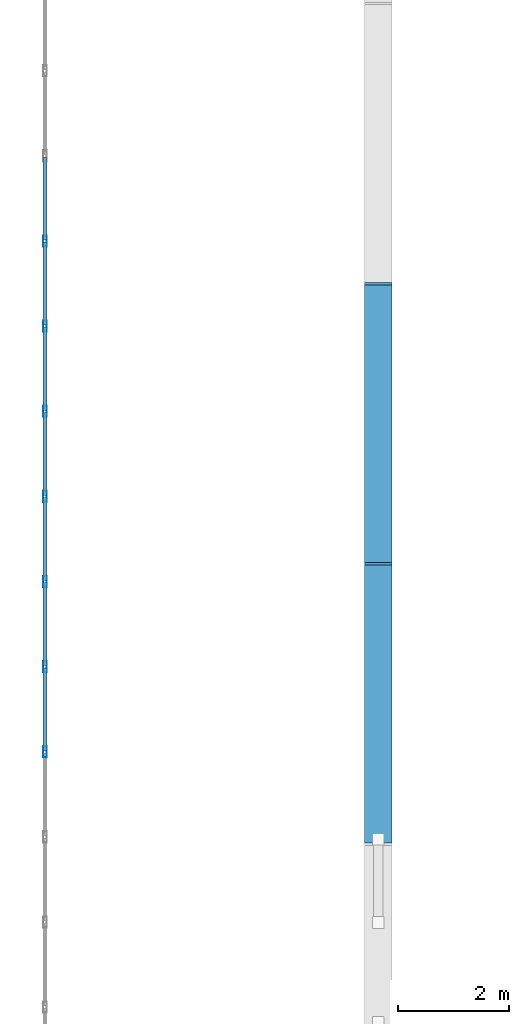
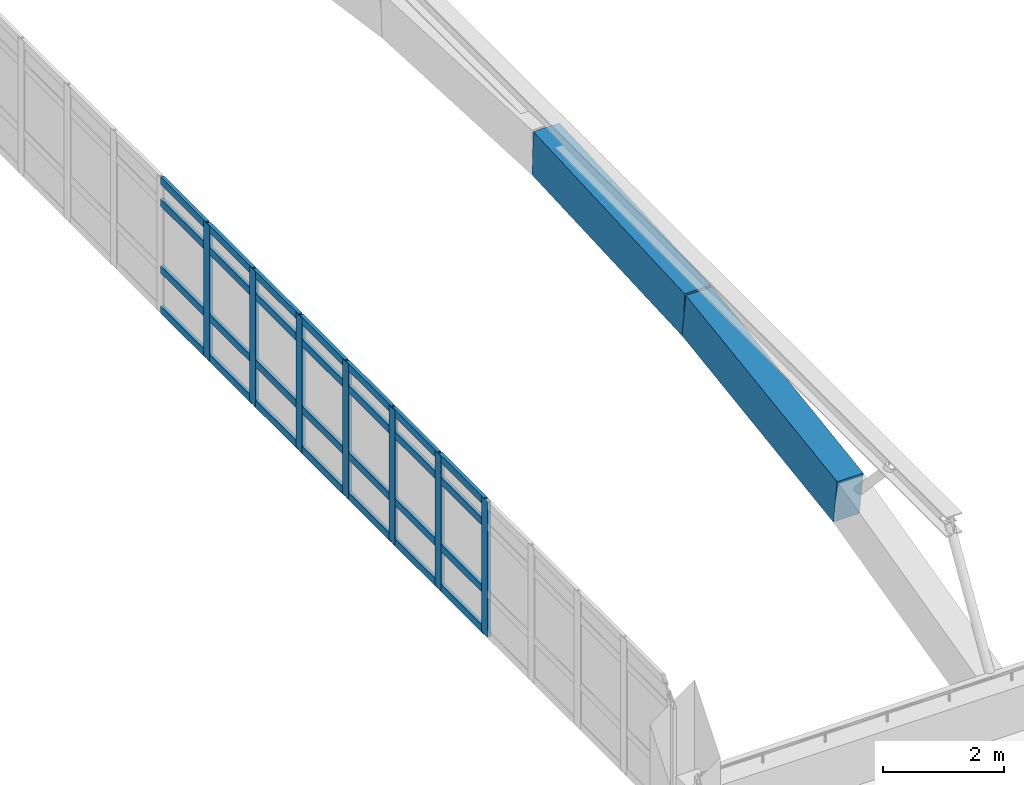
# One storey, part 15 of 161: 35 members, 2 beams, 1 element without a shape of its own.
"""IFC4 building model written with IfcOpenShell, lengths in metres."""

from ifc_helpers import new_model, si_unit, direction, frame, origin, origin_2d, place, context, subcontext, project, spatial, rectangle, hollow_rectangle, extrude, material, layer, layer_set, material_profile, profile_set, type_object, element, aggregate, save


model = new_model("IFC4")

# Units and contexts
model_context = context("Model", 3, precision=1e-05, world=origin(), true_north=direction((0.0, 1.0)))
body_context = subcontext(model_context, "Body", "Model", "MODEL_VIEW")
ifc_project = project(units=[si_unit("LENGTHUNIT", "METRE"), si_unit("AREAUNIT", "SQUARE_METRE"), si_unit("VOLUMEUNIT", "CUBIC_METRE"), si_unit("PLANEANGLEUNIT", "RADIAN"), si_unit("MASSUNIT", "GRAM", prefix="KILO")], contexts=[model_context])

# Site, building, storey
site_placement = place(None, origin())
site = spatial("IfcSite", under=ifc_project, at=site_placement, CompositionType="ELEMENT")
building_placement = place(site_placement, origin())
building = spatial("IfcBuilding", under=site, at=building_placement, Name="Mersad Railyard Sports Hall", CompositionType="ELEMENT")
storey_placement = place(building_placement, frame((0.0, 0.0, 4.800048828125)))
storey = spatial("IfcBuildingStorey", under=building, at=storey_placement, Name="L01", CompositionType="ELEMENT", Elevation=4.800048828125)

# Curtain wall, members
ifc_material_1 = material(Name="Aluminium 6063-T6", Category="aluminium")
ifc_layer = layer(ifc_material_1, 0.199951171875)
ifc_layer_set = layer_set([ifc_layer], Name="Aluminium 6063-T6")
curtain_wall_type = type_object("IfcCurtainWallType", Name="ARC-CW-CW04", PredefinedType="USERDEFINED", material=ifc_layer_set)
curtain_wall_placement = place(storey_placement, origin())
curtain_wall = element("IfcCurtainWall", 1, at=curtain_wall_placement, inside=storey, type_object=curtain_wall_type, Name="Curtain wall CW04-0024", ObjectType="CURTAIN WALL", PredefinedType="USERDEFINED")
ifc_material_profile_1 = material_profile(ifc_material_1, hollow_rectangle(XDim=0.06494140625, YDim=0.199951171875, WallThickness=0.0048828125, at=origin_2d()), Name="AL MULLION 65x200x5")
ifc_profile_set_1 = profile_set([ifc_material_profile_1], Name="Aluminium 6063-T6")
member_type_1 = type_object("IfcMemberType", Name="ARC-CW-MUL02", PredefinedType="MULLION", material=ifc_profile_set_1)
member_1_placement = place(storey_placement, frame((7.0, 20.073486328125, -0.02001953125), z_axis=(0.0, 0.0, 1.0), x_axis=(1.0, 0.0, 0.0)))
member_1 = element("IfcMember", 2, at=member_1_placement, type_object=member_type_1, Name="CW04 Mullion 5", PredefinedType="MULLION", context=body_context, shape_type="SweptSolid", body=[
    extrude(hollow_rectangle(XDim=0.06494140625, YDim=0.199951171875, WallThickness=0.0048828125, at=origin_2d()), origin(), (0.0, 0.0, 1.0), 2.719970703125),
])
member_2_placement = place(storey_placement, frame((7.0, 21.60546875, -0.02001953125), z_axis=(0.0, 0.0, 1.0), x_axis=(1.0, 0.0, 0.0)))
member_2 = element("IfcMember", 3, at=member_2_placement, type_object=member_type_1, Name="CW04 Mullion 6", PredefinedType="MULLION", context=body_context, shape_type="SweptSolid", body=[
    extrude(hollow_rectangle(XDim=0.06494140625, YDim=0.199951171875, WallThickness=0.0048828125, at=origin_2d()), origin(), (0.0, 0.0, 1.0), 2.719970703125),
])
member_3_placement = place(storey_placement, frame((7.0, 23.1376953125, -0.02001953125), z_axis=(0.0, 0.0, 1.0), x_axis=(1.0, 0.0, 0.0)))
member_3 = element("IfcMember", 4, at=member_3_placement, type_object=member_type_1, Name="CW04 Mullion 7", PredefinedType="MULLION", context=body_context, shape_type="SweptSolid", body=[
    extrude(hollow_rectangle(XDim=0.06494140625, YDim=0.199951171875, WallThickness=0.0048828125, at=origin_2d()), origin(), (0.0, 0.0, 1.0), 2.719970703125),
])
member_4_placement = place(storey_placement, frame((7.0, 24.669677734375, -0.02001953125), z_axis=(0.0, 0.0, 1.0), x_axis=(1.0, 0.0, 0.0)))
member_4 = element("IfcMember", 5, at=member_4_placement, type_object=member_type_1, Name="CW04 Mullion 8", PredefinedType="MULLION", context=body_context, shape_type="SweptSolid", body=[
    extrude(hollow_rectangle(XDim=0.06494140625, YDim=0.199951171875, WallThickness=0.0048828125, at=origin_2d()), origin(), (0.0, 0.0, 1.0), 2.719970703125),
])
member_5_placement = place(storey_placement, frame((7.0, 26.201904296875, -0.02001953125), z_axis=(0.0, 0.0, 1.0), x_axis=(1.0, 0.0, 0.0)))
member_5 = element("IfcMember", 6, at=member_5_placement, type_object=member_type_1, Name="CW04 Mullion 9", PredefinedType="MULLION", context=body_context, shape_type="SweptSolid", body=[
    extrude(hollow_rectangle(XDim=0.06494140625, YDim=0.199951171875, WallThickness=0.0048828125, at=origin_2d()), origin(), (0.0, 0.0, 1.0), 2.719970703125),
])
member_6_placement = place(storey_placement, frame((7.0, 27.73388671875, -0.02001953125), z_axis=(0.0, 0.0, 1.0), x_axis=(1.0, 0.0, 0.0)))
member_6 = element("IfcMember", 7, at=member_6_placement, type_object=member_type_1, Name="CW04 Mullion 10", PredefinedType="MULLION", context=body_context, shape_type="SweptSolid", body=[
    extrude(hollow_rectangle(XDim=0.06494140625, YDim=0.199951171875, WallThickness=0.0048828125, at=origin_2d()), origin(), (0.0, 0.0, 1.0), 2.719970703125),
])
member_7_placement = place(storey_placement, frame((7.0, 29.26611328125, -0.02001953125), z_axis=(0.0, 0.0, 1.0), x_axis=(1.0, 0.0, 0.0)))
member_7 = element("IfcMember", 8, at=member_7_placement, type_object=member_type_1, Name="CW04 Mullion 11", PredefinedType="MULLION", context=body_context, shape_type="SweptSolid", body=[
    extrude(hollow_rectangle(XDim=0.06494140625, YDim=0.199951171875, WallThickness=0.0048828125, at=origin_2d()), origin(), (0.0, 0.0, 1.0), 2.719970703125),
])
ifc_material_profile_2 = material_profile(ifc_material_1, hollow_rectangle(XDim=0.06494140625, YDim=0.14990234375, WallThickness=0.00439453125, at=origin_2d()), Name="AL TRANSOM 65x150x4.5")
ifc_profile_set_2 = profile_set([ifc_material_profile_2], Name="Aluminium 6063-T6")
member_type_2 = type_object("IfcMemberType", Name="ARC-CW-TRN02", PredefinedType="USERDEFINED", material=ifc_profile_set_2)
member_8_placement = place(storey_placement, frame((7.0, 20.093505859375, 0.0400390625), z_axis=(0.0, 1.0, 0.0), x_axis=(-1.0, 0.0, 0.0)))
member_8 = element("IfcMember", 9, at=member_8_placement, type_object=member_type_2, Name="CW04 Transom 1-5", ObjectType="TRANSOM", PredefinedType="USERDEFINED", context=body_context, shape_type="SweptSolid", body=[
    extrude(hollow_rectangle(XDim=0.06494140625, YDim=0.14990234375, WallThickness=0.00439453125, at=origin_2d()), origin(), (0.0, 0.0, 1.0), 1.491943359375),
])
member_9_placement = place(storey_placement, frame((7.0, 21.62548828125, 0.0400390625), z_axis=(0.0, 1.0, 0.0), x_axis=(-1.0, 0.0, 0.0)))
member_9 = element("IfcMember", 10, at=member_9_placement, type_object=member_type_2, Name="CW04 Transom 1-6", ObjectType="TRANSOM", PredefinedType="USERDEFINED", context=body_context, shape_type="SweptSolid", body=[
    extrude(hollow_rectangle(XDim=0.06494140625, YDim=0.14990234375, WallThickness=0.00439453125, at=origin_2d()), origin(), (0.0, 0.0, 1.0), 1.4921875),
])
member_10_placement = place(storey_placement, frame((7.0, 23.15771484375, 0.0400390625), z_axis=(0.0, 1.0, 0.0), x_axis=(-1.0, 0.0, 0.0)))
member_10 = element("IfcMember", 11, at=member_10_placement, type_object=member_type_2, Name="CW04 Transom 1-7", ObjectType="TRANSOM", PredefinedType="USERDEFINED", context=body_context, shape_type="SweptSolid", body=[
    extrude(hollow_rectangle(XDim=0.06494140625, YDim=0.14990234375, WallThickness=0.00439453125, at=origin_2d()), origin(), (0.0, 0.0, 1.0), 1.491943359375),
])
member_11_placement = place(storey_placement, frame((7.0, 24.689697265625, 0.0400390625), z_axis=(0.0, 1.0, 0.0), x_axis=(-1.0, 0.0, 0.0)))
member_11 = element("IfcMember", 12, at=member_11_placement, type_object=member_type_2, Name="CW04 Transom 1-8", ObjectType="TRANSOM", PredefinedType="USERDEFINED", context=body_context, shape_type="SweptSolid", body=[
    extrude(hollow_rectangle(XDim=0.06494140625, YDim=0.14990234375, WallThickness=0.00439453125, at=origin_2d()), origin(), (0.0, 0.0, 1.0), 1.4921875),
])
member_12_placement = place(storey_placement, frame((7.0, 26.221923828125, 0.0400390625), z_axis=(0.0, 1.0, 0.0), x_axis=(-1.0, 0.0, 0.0)))
member_12 = element("IfcMember", 13, at=member_12_placement, type_object=member_type_2, Name="CW04 Transom 1-9", ObjectType="TRANSOM", PredefinedType="USERDEFINED", context=body_context, shape_type="SweptSolid", body=[
    extrude(hollow_rectangle(XDim=0.06494140625, YDim=0.14990234375, WallThickness=0.00439453125, at=origin_2d()), origin(), (0.0, 0.0, 1.0), 1.491943359375),
])
member_13_placement = place(storey_placement, frame((7.0, 27.75390625, 0.0400390625), z_axis=(0.0, 1.0, 0.0), x_axis=(-1.0, 0.0, 0.0)))
member_13 = element("IfcMember", 14, at=member_13_placement, type_object=member_type_2, Name="CW04 Transom 1-10", ObjectType="TRANSOM", PredefinedType="USERDEFINED", context=body_context, shape_type="SweptSolid", body=[
    extrude(hollow_rectangle(XDim=0.06494140625, YDim=0.14990234375, WallThickness=0.00439453125, at=origin_2d()), origin(), (0.0, 0.0, 1.0), 1.4921875),
])
member_14_placement = place(storey_placement, frame((7.0, 29.2861328125, 0.0400390625), z_axis=(0.0, 1.0, 0.0), x_axis=(-1.0, 0.0, 0.0)))
member_14 = element("IfcMember", 15, at=member_14_placement, type_object=member_type_2, Name="CW04 Transom 1-11", ObjectType="TRANSOM", PredefinedType="USERDEFINED", context=body_context, shape_type="SweptSolid", body=[
    extrude(hollow_rectangle(XDim=0.06494140625, YDim=0.14990234375, WallThickness=0.00439453125, at=origin_2d()), origin(), (0.0, 0.0, 1.0), 1.491943359375),
])
member_15_placement = place(storey_placement, frame((7.0, 20.093505859375, 0.849853515625), z_axis=(0.0, 1.0, 0.0), x_axis=(-1.0, 0.0, 0.0)))
member_15 = element("IfcMember", 16, at=member_15_placement, type_object=member_type_2, Name="CW04 Transom 2-5", ObjectType="TRANSOM", PredefinedType="USERDEFINED", context=body_context, shape_type="SweptSolid", body=[
    extrude(hollow_rectangle(XDim=0.06494140625, YDim=0.14990234375, WallThickness=0.00439453125, at=origin_2d()), origin(), (0.0, 0.0, 1.0), 1.491943359375),
])
member_16_placement = place(storey_placement, frame((7.0, 21.62548828125, 0.849853515625), z_axis=(0.0, 1.0, 0.0), x_axis=(-1.0, 0.0, 0.0)))
member_16 = element("IfcMember", 17, at=member_16_placement, type_object=member_type_2, Name="CW04 Transom 2-6", ObjectType="TRANSOM", PredefinedType="USERDEFINED", context=body_context, shape_type="SweptSolid", body=[
    extrude(hollow_rectangle(XDim=0.06494140625, YDim=0.14990234375, WallThickness=0.00439453125, at=origin_2d()), origin(), (0.0, 0.0, 1.0), 1.4921875),
])
member_17_placement = place(storey_placement, frame((7.0, 23.15771484375, 0.849853515625), z_axis=(0.0, 1.0, 0.0), x_axis=(-1.0, 0.0, 0.0)))
member_17 = element("IfcMember", 18, at=member_17_placement, type_object=member_type_2, Name="CW04 Transom 2-7", ObjectType="TRANSOM", PredefinedType="USERDEFINED", context=body_context, shape_type="SweptSolid", body=[
    extrude(hollow_rectangle(XDim=0.06494140625, YDim=0.14990234375, WallThickness=0.00439453125, at=origin_2d()), origin(), (0.0, 0.0, 1.0), 1.491943359375),
])
member_18_placement = place(storey_placement, frame((7.0, 24.689697265625, 0.849853515625), z_axis=(0.0, 1.0, 0.0), x_axis=(-1.0, 0.0, 0.0)))
member_18 = element("IfcMember", 19, at=member_18_placement, type_object=member_type_2, Name="CW04 Transom 2-8", ObjectType="TRANSOM", PredefinedType="USERDEFINED", context=body_context, shape_type="SweptSolid", body=[
    extrude(hollow_rectangle(XDim=0.06494140625, YDim=0.14990234375, WallThickness=0.00439453125, at=origin_2d()), origin(), (0.0, 0.0, 1.0), 1.4921875),
])
member_19_placement = place(storey_placement, frame((7.0, 26.221923828125, 0.849853515625), z_axis=(0.0, 1.0, 0.0), x_axis=(-1.0, 0.0, 0.0)))
member_19 = element("IfcMember", 20, at=member_19_placement, type_object=member_type_2, Name="CW04 Transom 2-9", ObjectType="TRANSOM", PredefinedType="USERDEFINED", context=body_context, shape_type="SweptSolid", body=[
    extrude(hollow_rectangle(XDim=0.06494140625, YDim=0.14990234375, WallThickness=0.00439453125, at=origin_2d()), origin(), (0.0, 0.0, 1.0), 1.491943359375),
])
member_20_placement = place(storey_placement, frame((7.0, 27.75390625, 0.849853515625), z_axis=(0.0, 1.0, 0.0), x_axis=(-1.0, 0.0, 0.0)))
member_20 = element("IfcMember", 21, at=member_20_placement, type_object=member_type_2, Name="CW04 Transom 2-10", ObjectType="TRANSOM", PredefinedType="USERDEFINED", context=body_context, shape_type="SweptSolid", body=[
    extrude(hollow_rectangle(XDim=0.06494140625, YDim=0.14990234375, WallThickness=0.00439453125, at=origin_2d()), origin(), (0.0, 0.0, 1.0), 1.4921875),
])
member_21_placement = place(storey_placement, frame((7.0, 29.2861328125, 0.849853515625), z_axis=(0.0, 1.0, 0.0), x_axis=(-1.0, 0.0, 0.0)))
member_21 = element("IfcMember", 22, at=member_21_placement, type_object=member_type_2, Name="CW04 Transom 2-11", ObjectType="TRANSOM", PredefinedType="USERDEFINED", context=body_context, shape_type="SweptSolid", body=[
    extrude(hollow_rectangle(XDim=0.06494140625, YDim=0.14990234375, WallThickness=0.00439453125, at=origin_2d()), origin(), (0.0, 0.0, 1.0), 1.491943359375),
])
member_22_placement = place(storey_placement, frame((7.0, 20.093505859375, 2.199951171875), z_axis=(0.0, 1.0, 0.0), x_axis=(-1.0, 0.0, 0.0)))
member_22 = element("IfcMember", 23, at=member_22_placement, type_object=member_type_2, Name="CW04 Transom 3-5", ObjectType="TRANSOM", PredefinedType="USERDEFINED", context=body_context, shape_type="SweptSolid", body=[
    extrude(hollow_rectangle(XDim=0.06494140625, YDim=0.14990234375, WallThickness=0.00439453125, at=origin_2d()), origin(), (0.0, 0.0, 1.0), 1.491943359375),
])
member_23_placement = place(storey_placement, frame((7.0, 21.62548828125, 2.199951171875), z_axis=(0.0, 1.0, 0.0), x_axis=(-1.0, 0.0, 0.0)))
member_23 = element("IfcMember", 24, at=member_23_placement, type_object=member_type_2, Name="CW04 Transom 3-6", ObjectType="TRANSOM", PredefinedType="USERDEFINED", context=body_context, shape_type="SweptSolid", body=[
    extrude(hollow_rectangle(XDim=0.06494140625, YDim=0.14990234375, WallThickness=0.00439453125, at=origin_2d()), origin(), (0.0, 0.0, 1.0), 1.4921875),
])
member_24_placement = place(storey_placement, frame((7.0, 23.15771484375, 2.199951171875), z_axis=(0.0, 1.0, 0.0), x_axis=(-1.0, 0.0, 0.0)))
member_24 = element("IfcMember", 25, at=member_24_placement, type_object=member_type_2, Name="CW04 Transom 3-7", ObjectType="TRANSOM", PredefinedType="USERDEFINED", context=body_context, shape_type="SweptSolid", body=[
    extrude(hollow_rectangle(XDim=0.06494140625, YDim=0.14990234375, WallThickness=0.00439453125, at=origin_2d()), origin(), (0.0, 0.0, 1.0), 1.491943359375),
])
member_25_placement = place(storey_placement, frame((7.0, 24.689697265625, 2.199951171875), z_axis=(0.0, 1.0, 0.0), x_axis=(-1.0, 0.0, 0.0)))
member_25 = element("IfcMember", 26, at=member_25_placement, type_object=member_type_2, Name="CW04 Transom 3-8", ObjectType="TRANSOM", PredefinedType="USERDEFINED", context=body_context, shape_type="SweptSolid", body=[
    extrude(hollow_rectangle(XDim=0.06494140625, YDim=0.14990234375, WallThickness=0.00439453125, at=origin_2d()), origin(), (0.0, 0.0, 1.0), 1.4921875),
])
member_26_placement = place(storey_placement, frame((7.0, 26.221923828125, 2.199951171875), z_axis=(0.0, 1.0, 0.0), x_axis=(-1.0, 0.0, 0.0)))
member_26 = element("IfcMember", 27, at=member_26_placement, type_object=member_type_2, Name="CW04 Transom 3-9", ObjectType="TRANSOM", PredefinedType="USERDEFINED", context=body_context, shape_type="SweptSolid", body=[
    extrude(hollow_rectangle(XDim=0.06494140625, YDim=0.14990234375, WallThickness=0.00439453125, at=origin_2d()), origin(), (0.0, 0.0, 1.0), 1.491943359375),
])
member_27_placement = place(storey_placement, frame((7.0, 27.75390625, 2.199951171875), z_axis=(0.0, 1.0, 0.0), x_axis=(-1.0, 0.0, 0.0)))
member_27 = element("IfcMember", 28, at=member_27_placement, type_object=member_type_2, Name="CW04 Transom 3-10", ObjectType="TRANSOM", PredefinedType="USERDEFINED", context=body_context, shape_type="SweptSolid", body=[
    extrude(hollow_rectangle(XDim=0.06494140625, YDim=0.14990234375, WallThickness=0.00439453125, at=origin_2d()), origin(), (0.0, 0.0, 1.0), 1.4921875),
])
member_28_placement = place(storey_placement, frame((7.0, 29.2861328125, 2.199951171875), z_axis=(0.0, 1.0, 0.0), x_axis=(-1.0, 0.0, 0.0)))
member_28 = element("IfcMember", 29, at=member_28_placement, type_object=member_type_2, Name="CW04 Transom 3-11", ObjectType="TRANSOM", PredefinedType="USERDEFINED", context=body_context, shape_type="SweptSolid", body=[
    extrude(hollow_rectangle(XDim=0.06494140625, YDim=0.14990234375, WallThickness=0.00439453125, at=origin_2d()), origin(), (0.0, 0.0, 1.0), 1.491943359375),
])
member_29_placement = place(storey_placement, frame((7.0, 20.093505859375, 2.639892578125), z_axis=(0.0, 1.0, 0.0), x_axis=(-1.0, 0.0, 0.0)))
member_29 = element("IfcMember", 30, at=member_29_placement, type_object=member_type_2, Name="CW04 Transom 4-5", ObjectType="TRANSOM", PredefinedType="USERDEFINED", context=body_context, shape_type="SweptSolid", body=[
    extrude(hollow_rectangle(XDim=0.06494140625, YDim=0.14990234375, WallThickness=0.00439453125, at=origin_2d()), origin(), (0.0, 0.0, 1.0), 1.491943359375),
])
member_30_placement = place(storey_placement, frame((7.0, 21.62548828125, 2.639892578125), z_axis=(0.0, 1.0, 0.0), x_axis=(-1.0, 0.0, 0.0)))
member_30 = element("IfcMember", 31, at=member_30_placement, type_object=member_type_2, Name="CW04 Transom 4-6", ObjectType="TRANSOM", PredefinedType="USERDEFINED", context=body_context, shape_type="SweptSolid", body=[
    extrude(hollow_rectangle(XDim=0.06494140625, YDim=0.14990234375, WallThickness=0.00439453125, at=origin_2d()), origin(), (0.0, 0.0, 1.0), 1.4921875),
])
member_31_placement = place(storey_placement, frame((7.0, 23.15771484375, 2.639892578125), z_axis=(0.0, 1.0, 0.0), x_axis=(-1.0, 0.0, 0.0)))
member_31 = element("IfcMember", 32, at=member_31_placement, type_object=member_type_2, Name="CW04 Transom 4-7", ObjectType="TRANSOM", PredefinedType="USERDEFINED", context=body_context, shape_type="SweptSolid", body=[
    extrude(hollow_rectangle(XDim=0.06494140625, YDim=0.14990234375, WallThickness=0.00439453125, at=origin_2d()), origin(), (0.0, 0.0, 1.0), 1.491943359375),
])
member_32_placement = place(storey_placement, frame((7.0, 24.689697265625, 2.639892578125), z_axis=(0.0, 1.0, 0.0), x_axis=(-1.0, 0.0, 0.0)))
member_32 = element("IfcMember", 33, at=member_32_placement, type_object=member_type_2, Name="CW04 Transom 4-8", ObjectType="TRANSOM", PredefinedType="USERDEFINED", context=body_context, shape_type="SweptSolid", body=[
    extrude(hollow_rectangle(XDim=0.06494140625, YDim=0.14990234375, WallThickness=0.00439453125, at=origin_2d()), origin(), (0.0, 0.0, 1.0), 1.4921875),
])
member_33_placement = place(storey_placement, frame((7.0, 26.221923828125, 2.639892578125), z_axis=(0.0, 1.0, 0.0), x_axis=(-1.0, 0.0, 0.0)))
member_33 = element("IfcMember", 34, at=member_33_placement, type_object=member_type_2, Name="CW04 Transom 4-9", ObjectType="TRANSOM", PredefinedType="USERDEFINED", context=body_context, shape_type="SweptSolid", body=[
    extrude(hollow_rectangle(XDim=0.06494140625, YDim=0.14990234375, WallThickness=0.00439453125, at=origin_2d()), origin(), (0.0, 0.0, 1.0), 1.491943359375),
])
member_34_placement = place(storey_placement, frame((7.0, 27.75390625, 2.639892578125), z_axis=(0.0, 1.0, 0.0), x_axis=(-1.0, 0.0, 0.0)))
member_34 = element("IfcMember", 35, at=member_34_placement, type_object=member_type_2, Name="CW04 Transom 4-10", ObjectType="TRANSOM", PredefinedType="USERDEFINED", context=body_context, shape_type="SweptSolid", body=[
    extrude(hollow_rectangle(XDim=0.06494140625, YDim=0.14990234375, WallThickness=0.00439453125, at=origin_2d()), origin(), (0.0, 0.0, 1.0), 1.4921875),
])
member_35_placement = place(storey_placement, frame((7.0, 29.2861328125, 2.639892578125), z_axis=(0.0, 1.0, 0.0), x_axis=(-1.0, 0.0, 0.0)))
member_35 = element("IfcMember", 36, at=member_35_placement, type_object=member_type_2, Name="CW04 Transom 4-11", ObjectType="TRANSOM", PredefinedType="USERDEFINED", context=body_context, shape_type="SweptSolid", body=[
    extrude(hollow_rectangle(XDim=0.06494140625, YDim=0.14990234375, WallThickness=0.00439453125, at=origin_2d()), origin(), (0.0, 0.0, 1.0), 1.491943359375),
])
aggregate(curtain_wall, [member_1, member_2, member_3, member_4, member_5, member_6, member_7, member_8, member_9, member_10, member_11, member_12, member_13, member_14, member_15, member_16, member_17, member_18, member_19, member_20, member_21, member_22, member_23, member_24, member_25, member_26, member_27, member_28, member_29, member_30, member_31, member_32, member_33, member_34, member_35])

# Beams
ifc_material_2 = material(Name="Architectural concrete C50/60", Category="concrete")
ifc_material_profile_3 = material_profile(ifc_material_2, rectangle(XDim=0.5, YDim=0.89990234375, at=origin_2d()), Name="VR 500x900")
ifc_profile_set_3 = profile_set([ifc_material_profile_3], Name="Architectural concrete C50/60")
beam_type = type_object("IfcBeamType", Name="STR-BM-VR02", PredefinedType="BEAM", material=ifc_profile_set_3)
beam_1_placement = place(storey_placement, frame((13.0, 18.5, 1.579345703125), z_axis=(0.0, 0.989516876333, 0.144417282391), x_axis=(-1.0, 0.0, 0.0)))
element("IfcBeam", 37, at=beam_1_placement, inside=storey, type_object=beam_type, Name="Beam VR02-0507", PredefinedType="BEAM", context=body_context, shape_type="SweptSolid", body=[
    extrude(rectangle(XDim=0.5, YDim=0.89990234375, at=origin_2d()), origin(), (0.0, 0.0, 1.0), 5.052978515625),
])
beam_2_placement = place(storey_placement, frame((13.0, 23.5, 2.30908203125), z_axis=(0.0, 0.998840719075, 0.048137489733), x_axis=(-1.0, 0.0, 0.0)))
element("IfcBeam", 38, at=beam_2_placement, inside=storey, type_object=beam_type, Name="Beam VR02-0508", PredefinedType="BEAM", context=body_context, shape_type="SweptSolid", body=[
    extrude(rectangle(XDim=0.5, YDim=0.89990234375, at=origin_2d()), origin(), (0.0, 0.0, 1.0), 5.005859375),
])

save(model, "model.ifc")
